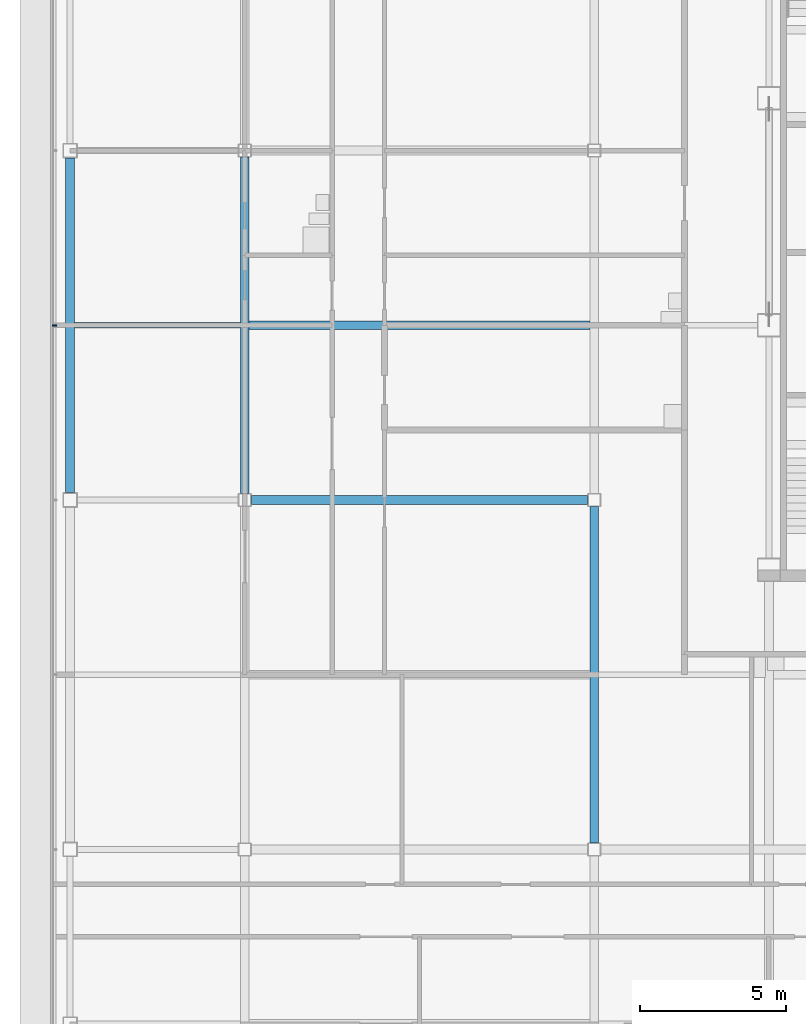
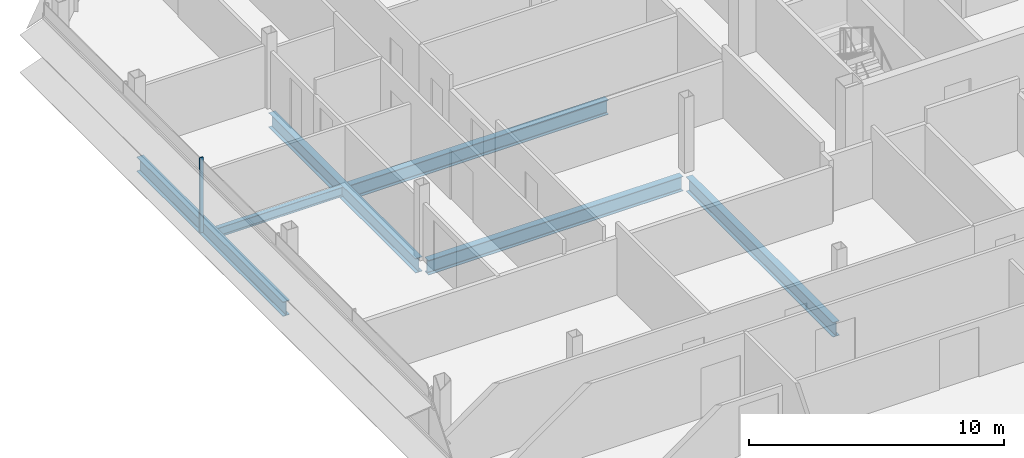
# One storey, part 8 of 27: 6 beams, 1 member, 1 element without a shape of its own.
"""IFC4 building model written with IfcOpenShell, lengths in metres."""

from ifc_helpers import new_model, si_unit, direction, frame, origin, origin_2d, place, context, subcontext, project, spatial, rectangle, i_section, extrude, material, material_profile, profile_set, type_object, element, aggregate, save


model = new_model("IFC4")

# Units and contexts
model_context = context("Model", 3, precision=1e-05, world=origin(), true_north=direction((0.0, 1.0)))
body_context = subcontext(model_context, "Body", "Model", "MODEL_VIEW")
ifc_project = project(units=[si_unit("LENGTHUNIT", "METRE"), si_unit("AREAUNIT", "SQUARE_METRE"), si_unit("VOLUMEUNIT", "CUBIC_METRE"), si_unit("PLANEANGLEUNIT", "RADIAN"), si_unit("MASSUNIT", "GRAM", prefix="KILO")], contexts=[model_context])

# Site, building, storey
site_placement = place(None, origin())
site = spatial("IfcSite", under=ifc_project, at=site_placement, CompositionType="ELEMENT")
building_placement = place(site_placement, origin())
building = spatial("IfcBuilding", under=site, at=building_placement, Name="Sorahane Residences", CompositionType="ELEMENT")
storey_placement = place(building_placement, frame((0.0, 0.0, 323.199951171875)))
storey = spatial("IfcBuildingStorey", under=building, at=storey_placement, Name="L77", CompositionType="ELEMENT", Elevation=323.199951171875)

# Curtain wall, member
ifc_material_1 = material(Name="Dark low-e glass and black anodised aluminium", Category="aluminium")
curtain_wall_type = type_object("IfcCurtainWallType", Name="Curtain wall CW-1 Typical unitised wall", PredefinedType="NOTDEFINED", material=ifc_material_1)
curtain_wall_placement = place(storey_placement, origin())
curtain_wall = element("IfcCurtainWall", 1, at=curtain_wall_placement, inside=storey, type_object=curtain_wall_type, Name="CW-1 curtain wall L77 W1", PredefinedType="NOTDEFINED")
ifc_material_2 = material(Name="Black anodised aluminium", Category="aluminium")
ifc_material_profile_1 = material_profile(ifc_material_2, rectangle(XDim=0.159912109375, YDim=0.050048828125, at=origin_2d()), Name="Curtain wall mullion CW-1 black anodised aluminium 50x160")
ifc_profile_set_1 = profile_set([ifc_material_profile_1], Name="Black anodised aluminium")
member_type = type_object("IfcMemberType", Name="Curtain wall mullion CW-1 black anodised aluminium 50x160", PredefinedType="MULLION", material=ifc_profile_set_1)
member_placement = place(storey_placement, frame((-18.5400390625, 30.0, -0.179931640625), z_axis=(0.0, 0.0, 1.0), x_axis=(-1.0, 0.0, 0.0)))
member = element("IfcMember", 2, at=member_placement, type_object=member_type, Name="CW-1 mullion L77 W1.3", PredefinedType="MULLION", context=body_context, shape_type="SweptSolid", body=[
    extrude(rectangle(XDim=0.159912109375, YDim=0.050048828125, at=origin_2d()), origin(), (0.0, 0.0, 1.0), 3.60009765625),
])
aggregate(curtain_wall, [member])

# Beams
ifc_material_3 = material(Name="Steel Q355B", Category="steel")
ifc_material_profile_2 = material_profile(ifc_material_3, i_section(OverallWidth=0.199951171875, OverallDepth=0.449951171875, WebThickness=0.009033203125, FlangeThickness=0.013916015625, FilletRadius=0.02001953125, at=origin_2d()), Name="HN 450x200x9x14")
ifc_profile_set_2 = profile_set([ifc_material_profile_2], Name="Steel Q355B")
beam_type_1 = type_object("IfcBeamType", Name="Steel floor beam HN 450x200x9x14 Q355B", PredefinedType="BEAM", material=ifc_profile_set_2)
beam_1_placement = place(storey_placement, frame((-17.85009765625, 30.0, -0.405029296875), z_axis=(1.0, 0.0, 0.0), x_axis=(0.0, 1.0, 0.0)))
element("IfcBeam", 3, at=beam_1_placement, inside=storey, type_object=beam_type_1, Name="Beam L77 083", PredefinedType="BEAM", context=body_context, shape_type="SweptSolid", body=[
    extrude(i_section(OverallWidth=0.199951171875, OverallDepth=0.449951171875, WebThickness=0.009033203125, FlangeThickness=0.013916015625, FilletRadius=0.02001953125, at=origin_2d()), origin(), (0.0, 0.0, 1.0), 5.7001953125),
])
ifc_material_4 = material(Name="Steel Q355B", Category="steel")
ifc_material_profile_3 = material_profile(ifc_material_4, i_section(OverallWidth=0.300048828125, OverallDepth=0.699951171875, WebThickness=0.012939453125, FlangeThickness=0.02392578125, FilletRadius=0.028076171875, at=origin_2d()), Name="HN 700x300x13x24")
ifc_profile_set_3 = profile_set([ifc_material_profile_3], Name="Steel Q355B")
beam_type_2 = type_object("IfcBeamType", Name="Steel floor beam HN 700x300x13x24 Q355B", PredefinedType="BEAM", material=ifc_profile_set_3)
beam_2_placement = place(storey_placement, frame((-11.77490234375, 24.0, -0.530029296875), z_axis=(1.0, 0.0, 0.0), x_axis=(0.0, 1.0, 0.0)))
element("IfcBeam", 4, at=beam_2_placement, inside=storey, type_object=beam_type_2, Name="Beam L77 012", PredefinedType="BEAM", context=body_context, shape_type="SweptSolid", body=[
    extrude(i_section(OverallWidth=0.300048828125, OverallDepth=0.699951171875, WebThickness=0.012939453125, FlangeThickness=0.02392578125, FilletRadius=0.028076171875, at=origin_2d()), origin(), (0.0, 0.0, 1.0), 11.5498046875),
])
beam_3_placement = place(storey_placement, frame((-18.0, 24.25, -0.530029296875), z_axis=(0.0, 1.0, 0.0), x_axis=(-1.0, 0.0, 0.0)))
element("IfcBeam", 5, at=beam_3_placement, inside=storey, type_object=beam_type_2, Name="Beam L77 022", PredefinedType="BEAM", context=body_context, shape_type="SweptSolid", body=[
    extrude(i_section(OverallWidth=0.300048828125, OverallDepth=0.699951171875, WebThickness=0.012939453125, FlangeThickness=0.02392578125, FilletRadius=0.028076171875, at=origin_2d()), origin(), (0.0, 0.0, 1.0), 11.5),
])
for number, where, z_axis, x_axis, name in (
    (6, (-12.0, 24.22509765625, -0.530029296875), (0.0, 1.0, 0.0), (-1.0, 0.0, 0.0), "Beam L77 026"),
    (7, (0.0, 12.22509765625, -0.530029296875), (0.0, 1.0, 0.0), (-1.0, 0.0, 0.0), "Beam L77 029"),
):
    element("IfcBeam", number, at=place(storey_placement, frame(where, z_axis=z_axis, x_axis=x_axis)), inside=storey, type_object=beam_type_2, Name=name, PredefinedType="BEAM", context=body_context, shape_type="SweptSolid", body=[
        extrude(i_section(OverallWidth=0.300048828125, OverallDepth=0.699951171875, WebThickness=0.012939453125, FlangeThickness=0.02392578125, FilletRadius=0.028076171875, at=origin_2d()), origin(), (0.0, 0.0, 1.0), 11.5498046875),
    ])
beam_4_placement = place(storey_placement, frame((-11.85009765625, 30.0, -0.530029296875), z_axis=(1.0, 0.0, 0.0), x_axis=(0.0, 1.0, 0.0)))
element("IfcBeam", 8, at=beam_4_placement, inside=storey, type_object=beam_type_2, Name="Beam L77 084", PredefinedType="BEAM", context=body_context, shape_type="SweptSolid", body=[
    extrude(i_section(OverallWidth=0.300048828125, OverallDepth=0.699951171875, WebThickness=0.012939453125, FlangeThickness=0.02392578125, FilletRadius=0.028076171875, at=origin_2d()), origin(), (0.0, 0.0, 1.0), 11.7001953125),
])

save(model, "model.ifc")
